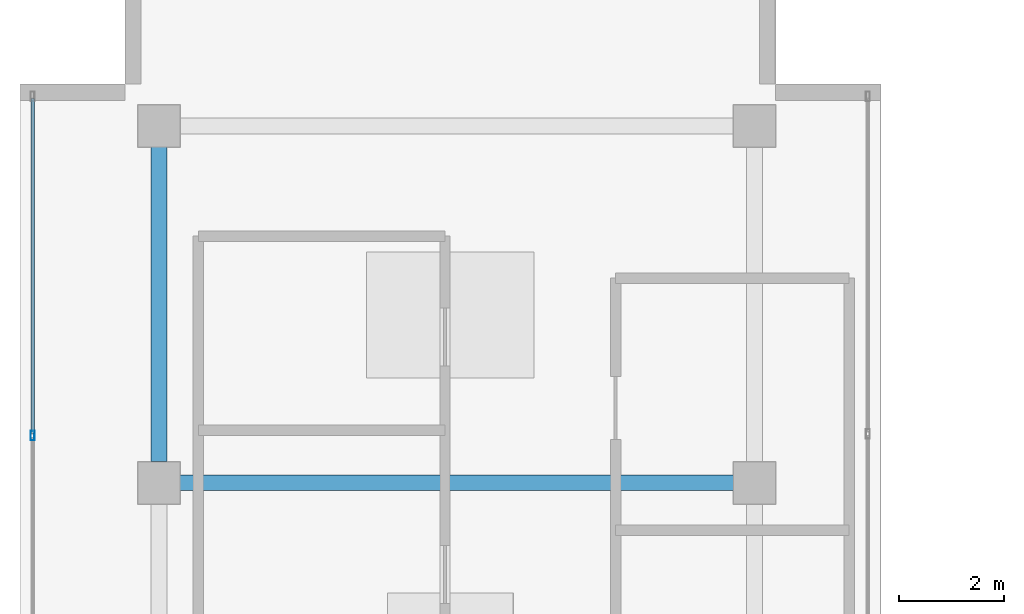
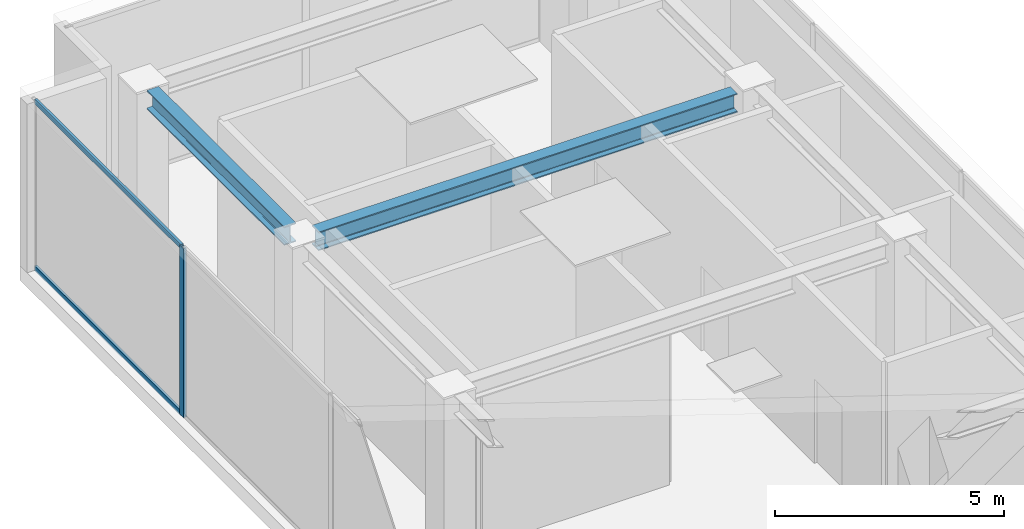
# One storey, part 16 of 22: 3 members, 2 beams, 1 element without a shape of its own.
"""IFC4 building model written with IfcOpenShell, lengths in metres."""

from ifc_helpers import new_model, si_unit, direction, frame, origin, origin_with_axes, origin_2d, place, context, subcontext, project, spatial, hollow_rectangle, i_section, extrude, source, transform, mapped, material, layer, layer_set, material_profile, profile_set, type_object, element, aggregate, save


model = new_model("IFC4")

# Units and contexts
model_context = context("Model", 3, precision=1e-05, world=origin(), true_north=direction((0.0, 1.0)))
body_context = subcontext(model_context, "Body", "Model", "MODEL_VIEW")
ifc_project = project(units=[si_unit("LENGTHUNIT", "METRE"), si_unit("AREAUNIT", "SQUARE_METRE"), si_unit("VOLUMEUNIT", "CUBIC_METRE"), si_unit("PLANEANGLEUNIT", "RADIAN"), si_unit("MASSUNIT", "GRAM", prefix="KILO")], contexts=[model_context])

# Site, building, storey
site_placement = place(None, origin())
site = spatial("IfcSite", under=ifc_project, at=site_placement, CompositionType="ELEMENT")
building_placement = place(site_placement, origin())
building = spatial("IfcBuilding", under=site, at=building_placement, Name="Kolvaren Waterfront Exchange", CompositionType="ELEMENT")
storey_placement = place(building_placement, frame((0.0, 0.0, 360.39990234375)))
storey = spatial("IfcBuildingStorey", under=building, at=storey_placement, Name="RF", CompositionType="ELEMENT", Elevation=360.39990234375)

# Beams
ifc_material_1 = material(Name="Steel S355", Category="steel")
ifc_material_profile_1 = material_profile(ifc_material_1, i_section(OverallWidth=0.300048828125, OverallDepth=0.5, WebThickness=0.014404296875, FlangeThickness=0.028076171875, FilletRadius=0.027099609375, at=origin_2d()), Name="HEB500")
ifc_profile_set_1 = profile_set([ifc_material_profile_1], Name="Steel S355")
beam_type = type_object("IfcBeamType", Name="STR-BM-HEB500", PredefinedType="BEAM", material=ifc_profile_set_1)
beam_1_placement = place(storey_placement, frame((7.449951171875, 38.201904296875, 4.281005859375), z_axis=(0.0, 1.0, 0.0), x_axis=(-1.0, 0.0, 0.0)))
element("IfcBeam", 1, at=beam_1_placement, inside=storey, type_object=beam_type, Name="RF crown roof girder 14", PredefinedType="SPANDREL", context=body_context, shape_type="SweptSolid", body=[
    extrude(i_section(OverallWidth=0.300048828125, OverallDepth=0.5, WebThickness=0.014404296875, FlangeThickness=0.028076171875, FilletRadius=0.027099609375, at=origin_2d()), origin(), (0.0, 0.0, 1.0), 5.99609375),
])
beam_2_placement = place(storey_placement, frame((7.85205078125, 37.800048828125, 4.281005859375), z_axis=(1.0, 0.0, 0.0), x_axis=(0.0, 1.0, 0.0)))
element("IfcBeam", 2, at=beam_2_placement, inside=storey, type_object=beam_type, Name="RF crown roof girder 21", PredefinedType="BEAM", context=body_context, shape_type="SweptSolid", body=[
    extrude(i_section(OverallWidth=0.300048828125, OverallDepth=0.5, WebThickness=0.014404296875, FlangeThickness=0.028076171875, FilletRadius=0.027099609375, at=origin_2d()), origin(), (0.0, 0.0, 1.0), 10.5458984375),
])

# Curtain wall, members
ifc_material_2 = material(Name="Anodised bronze aluminium 6063-T6", Category="aluminium")
ifc_layer = layer(ifc_material_2, 0.219970703125, Name="Anodised bronze aluminium 6063-T6")
ifc_layer_set = layer_set([ifc_layer], Name="Anodised bronze aluminium 6063-T6")
curtain_wall_type = type_object("IfcCurtainWallType", Name="ARC-CW-SYS5", PredefinedType="USERDEFINED", material=ifc_layer_set)
curtain_wall_placement = place(storey_placement, origin())
curtain_wall = element("IfcCurtainWall", 3, at=curtain_wall_placement, inside=storey, type_object=curtain_wall_type, Name="RF stick curtain wall CW5 (CW-RF-W)", ObjectType="STICK CURTAIN WALL", PredefinedType="USERDEFINED")
ifc_material_profile_2 = material_profile(ifc_material_2, hollow_rectangle(XDim=0.074951171875, YDim=0.179931640625, WallThickness=0.00439453125, at=origin_2d()), Name="ALU-MUL-180x75x4.5")
ifc_profile_set_2 = profile_set([ifc_material_profile_2], Name="Anodised bronze aluminium 6063-T6")
member_type_1 = type_object("IfcMemberType", Name="ARC-CWM-180", PredefinedType="MULLION", material=ifc_profile_set_2)
shared_shape_1 = source(origin_with_axes(), body_context, "Body", "SweptSolid", [
    extrude(hollow_rectangle(XDim=0.074951171875, YDim=0.179931640625, WallThickness=0.00439453125, at=origin_2d()), origin(), (0.0, 0.0, 1.0), 4.504638671875),
])
member_1_placement = place(storey_placement, frame((5.0400390625, 38.699951171875, 0.0), z_axis=(0.0, 0.0, 1.0), x_axis=(-1.0, 0.0, 0.0)))
member_1 = element("IfcMember", 4, at=member_1_placement, type_object=member_type_1, Name="CW5 mullion 6", PredefinedType="MULLION", context=body_context, shape_type="MappedRepresentation", body=[
    mapped(shared_shape_1, transform((0.0, 0.0, 0.0), x_axis=(1.0, 0.0, 0.0), y_axis=(0.0, 1.0, 0.0), z_axis=(0.0, 0.0, 1.0), scale=1.0)),
])
ifc_material_profile_3 = material_profile(ifc_material_2, hollow_rectangle(XDim=0.06494140625, YDim=0.1298828125, WallThickness=0.00390625, at=origin_2d()), Name="ALU-TRN-130x65x4")
ifc_profile_set_3 = profile_set([ifc_material_profile_3], Name="Anodised bronze aluminium 6063-T6")
member_type_2 = type_object("IfcMemberType", Name="ARC-CWT-130", PredefinedType="USERDEFINED", material=ifc_profile_set_3)
shared_shape_2 = source(origin_with_axes(), body_context, "Body", "SweptSolid", [
    extrude(hollow_rectangle(XDim=0.06494140625, YDim=0.1298828125, WallThickness=0.00390625, at=origin_2d()), origin(), (0.0, 0.0, 1.0), 6.387451171875),
])
member_2_placement = place(storey_placement, frame((5.0400390625, 38.737548828125, 0.03271484375), z_axis=(0.0, 1.0, 0.0), x_axis=(-1.0, 0.0, 0.0)))
member_2 = element("IfcMember", 5, at=member_2_placement, type_object=member_type_2, Name="CW5 transom 6.1", ObjectType="TRANSOM", PredefinedType="USERDEFINED", context=body_context, shape_type="MappedRepresentation", body=[
    mapped(shared_shape_2, transform((0.0, 0.0, 0.0), x_axis=(1.0, 0.0, 0.0), y_axis=(0.0, 1.0, 0.0), z_axis=(0.0, 0.0, 1.0), scale=1.0)),
])
member_3_placement = place(storey_placement, frame((5.0400390625, 38.737548828125, 4.47216796875), z_axis=(0.0, 1.0, 0.0), x_axis=(-1.0, 0.0, 0.0)))
member_3 = element("IfcMember", 6, at=member_3_placement, type_object=member_type_2, Name="CW5 transom 6.2", ObjectType="TRANSOM", PredefinedType="USERDEFINED", context=body_context, shape_type="MappedRepresentation", body=[
    mapped(shared_shape_2, transform((0.0, 0.0, 0.0), x_axis=(1.0, 0.0, 0.0), y_axis=(0.0, 1.0, 0.0), z_axis=(0.0, 0.0, 1.0), scale=1.0)),
])
aggregate(curtain_wall, [member_1, member_2, member_3])

save(model, "model.ifc")
